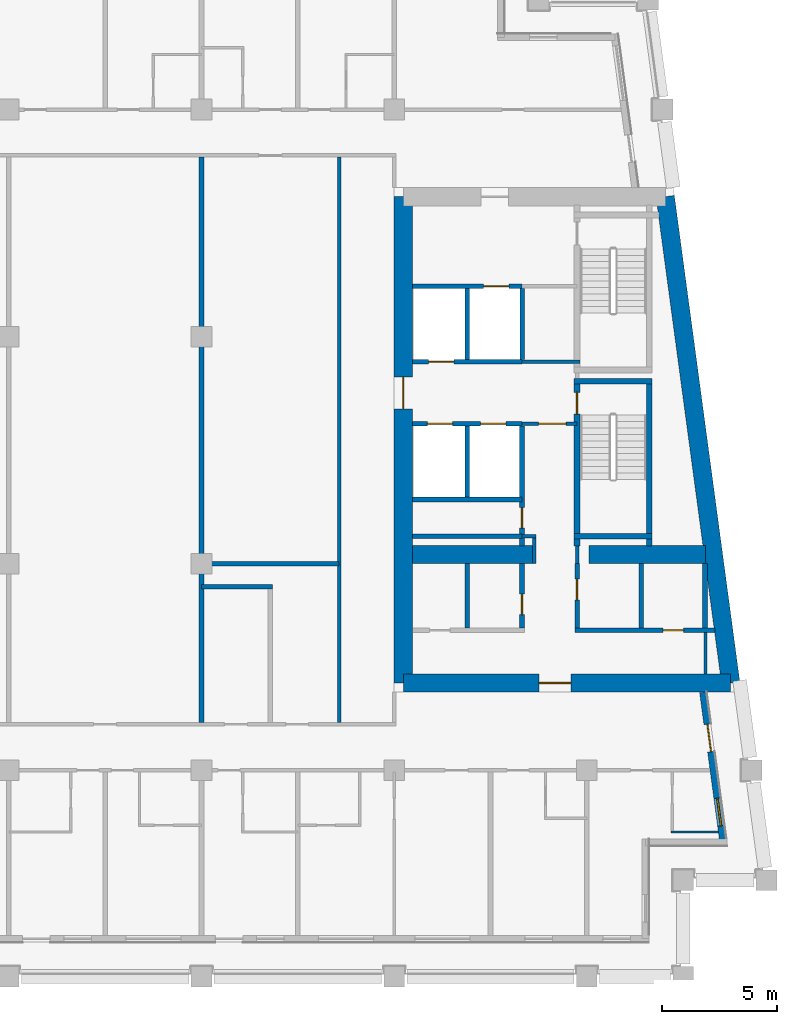
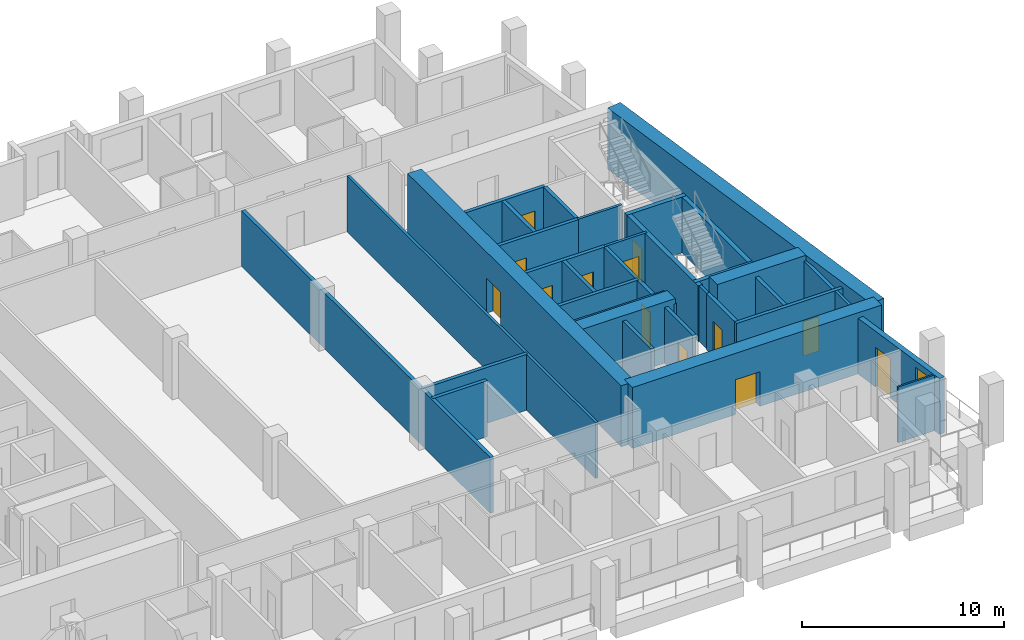
# One storey, part 5 of 13: 36 walls, 13 doors, 1 window, 14 openings.
"""IFC4 building model written with IfcOpenShell, lengths in metres."""

from ifc_helpers import new_model, si_unit, direction, frame, frame_2d, origin, place, context, subcontext, project, spatial, rectangle, extrude, material, layer, layer_set, type_object, element, fill, save


model = new_model("IFC4")

# Units and contexts
model_context = context("Model", 3, precision=1e-05, world=origin(), true_north=direction((0.0, 1.0)))
body_context = subcontext(model_context, "Body", "Model", "MODEL_VIEW")
ifc_project = project(units=[si_unit("LENGTHUNIT", "METRE"), si_unit("AREAUNIT", "SQUARE_METRE"), si_unit("VOLUMEUNIT", "CUBIC_METRE"), si_unit("PLANEANGLEUNIT", "RADIAN"), si_unit("MASSUNIT", "GRAM", prefix="KILO")], contexts=[model_context])

# Site, building, storey
site_placement = place(None, origin())
site = spatial("IfcSite", under=ifc_project, at=site_placement, CompositionType="ELEMENT")
building_placement = place(site_placement, origin())
building = spatial("IfcBuilding", under=site, at=building_placement, Name="Candeia Pilgrim Tower and Theatre", CompositionType="ELEMENT")
storey_placement = place(building_placement, frame((0.0, 0.0, 202.199951171875)))
storey = spatial("IfcBuildingStorey", under=building, at=storey_placement, Name="L48", CompositionType="ELEMENT", Elevation=202.199951171875)

# Wall
ifc_material_1 = material(Name="Concrete C50/60", Category="concrete")
ifc_layer_1 = layer(ifc_material_1, 0.800048828125)
ifc_layer_set_1 = layer_set([ifc_layer_1], Name="Core wall 800 C50/60")
wall_type_1 = type_object("IfcWallType", Name="Core wall 800 C50/60", PredefinedType="SHEAR", material=ifc_layer_set_1)
wall_1_placement = place(storey_placement, frame((137.819580078125, 132.0, 0.0), z_axis=(0.0, 0.0, 1.0), x_axis=(0.133408347329, -0.991061154956, 0.0)))
element("IfcWall", 1, at=wall_1_placement, inside=storey, type_object=wall_type_1, Name="Core wall E2", PredefinedType="SHEAR", context=body_context, shape_type="SweptSolid", body=[
    extrude(rectangle(XDim=21.39111328125, YDim=0.800048828125, at=frame_2d((10.695556640625, 0.0))), origin(), (0.0, 0.0, 1.0), 3.699951171875),
])

# Wall, opening, door
wall_2_placement = place(storey_placement, frame((140.67333984375, 110.800048828125, 0.0), z_axis=(0.0, 0.0, 1.0), x_axis=(-1.0, 0.0, 0.0)))
wall_2 = element("IfcWall", 2, at=wall_2_placement, inside=storey, type_object=wall_type_1, Name="Core wall E3", PredefinedType="SHEAR", context=body_context, shape_type="SweptSolid", body=[
    extrude(rectangle(XDim=14.2734375, YDim=0.800048828125, at=frame_2d((7.13671875, 0.0))), origin(), (0.0, 0.0, 1.0), 3.699951171875),
])
opening_1_placement = place(wall_2_placement, frame((6.96533203125, 0.0, 0.0)))
opening_1 = element("IfcOpeningElement", 3, at=opening_1_placement, cuts=wall_2, Name="Opening L48-D061", PredefinedType="OPENING", context=body_context, shape_type="SweptSolid", body=[
    extrude(rectangle(XDim=1.39990234375, YDim=2.10009765625, at=frame_2d((0.699951171875, 1.050048828125))), frame((0.0, 0.41015625, 0.0), z_axis=(0.0, -1.0, 0.0), x_axis=(1.0, 0.0, 0.0)), (0.0, 0.0, 1.0), 0.820068359375),
])
ifc_material_2 = material(Name="Steel fire door set", Category="steel")
door_type_1 = type_object("IfcDoorType", Name="D-1400-FD60", OperationType="NOTDEFINED", PredefinedType="DOOR", material=ifc_material_2)
door_1_placement = place(opening_1_placement, origin())
door_1 = element("IfcDoor", 4, at=door_1_placement, inside=storey, type_object=door_type_1, Name="Door L48-D061", OperationType="SINGLE_SWING_LEFT", OverallHeight=2.10009765625, OverallWidth=1.39990234375, PredefinedType="DOOR", context=body_context, shape_type="SweptSolid", body=[
    extrude(rectangle(XDim=1.39990234375, YDim=2.10009765625, at=frame_2d((0.699951171875, 1.050048828125))), frame((0.0, 0.02490234375, 0.0), z_axis=(0.0, -1.0, 0.0), x_axis=(1.0, 0.0, 0.0)), (0.0, 0.0, 1.0), 0.050048828125),
])
fill(opening_1, door_1)

wall_3_placement = place(storey_placement, frame((126.39990234375, 110.800048828125, 0.0), z_axis=(0.0, 0.0, 1.0), x_axis=(0.0, 1.0, 0.0)))
wall_3 = element("IfcWall", 5, at=wall_3_placement, inside=storey, type_object=wall_type_1, Name="Core wall E4", PredefinedType="SHEAR", context=body_context, shape_type="SweptSolid", body=[
    extrude(rectangle(XDim=21.199951171875, YDim=0.800048828125, at=frame_2d((10.60009765625, 0.0))), origin(), (0.0, 0.0, 1.0), 3.699951171875),
])
opening_2_placement = place(wall_3_placement, frame((11.949951171875, 0.0, 0.0)))
opening_2 = element("IfcOpeningElement", 6, at=opening_2_placement, cuts=wall_3, Name="Opening L48-D063", PredefinedType="OPENING", context=body_context, shape_type="SweptSolid", body=[
    extrude(rectangle(XDim=1.39990234375, YDim=2.10009765625, at=frame_2d((0.699951171875, 1.050048828125))), frame((0.0, 0.41015625, 0.0), z_axis=(0.0, -1.0, 0.0), x_axis=(1.0, 0.0, 0.0)), (0.0, 0.0, 1.0), 0.820068359375),
])
door_2_placement = place(opening_2_placement, origin())
door_2 = element("IfcDoor", 7, at=door_2_placement, inside=storey, type_object=door_type_1, Name="Door L48-D063", OperationType="SINGLE_SWING_LEFT", OverallHeight=2.10009765625, OverallWidth=1.39990234375, PredefinedType="DOOR", context=body_context, shape_type="SweptSolid", body=[
    extrude(rectangle(XDim=1.39990234375, YDim=2.10009765625, at=frame_2d((0.699951171875, 1.050048828125))), frame((0.0, 0.02490234375, 0.0), z_axis=(0.0, -1.0, 0.0), x_axis=(1.0, 0.0, 0.0)), (0.0, 0.0, 1.0), 0.050048828125),
])
fill(opening_2, door_2)

# Walls
wall_4_placement = place(storey_placement, frame((126.800048828125, 116.39990234375, 0.0), z_axis=(0.0, 0.0, 1.0), x_axis=(1.0, 0.0, 0.0)))
element("IfcWall", 8, at=wall_4_placement, inside=storey, type_object=wall_type_1, Name="Core wall E5", PredefinedType="SHEAR", context=body_context, shape_type="SweptSolid", body=[
    extrude(rectangle(XDim=5.300048828125, YDim=0.800048828125, at=frame_2d((2.64990234375, 0.0))), origin(), (0.0, 0.0, 1.0), 3.699951171875),
])
wall_5_placement = place(storey_placement, frame((134.5, 116.39990234375, 0.0), z_axis=(0.0, 0.0, 1.0), x_axis=(1.0, 0.0, 0.0)))
element("IfcWall", 9, at=wall_5_placement, inside=storey, type_object=wall_type_1, Name="Core wall E6", PredefinedType="SHEAR", context=body_context, shape_type="SweptSolid", body=[
    extrude(rectangle(XDim=5.076904296875, YDim=0.800048828125, at=frame_2d((2.53857421875, 0.0))), origin(), (0.0, 0.0, 1.0), 3.699951171875),
])

# Wall, openings, door, window
ifc_material_3 = material(Name="Ceramic block masonry", Category="masonry")
ifc_layer_2 = layer(ifc_material_3, 0.300048828125)
ifc_layer_set_2 = layer_set([ifc_layer_2], Name="EW1 glazing-line wall 300")
wall_type_2 = type_object("IfcWallType", Name="EW1 glazing-line wall 300", PredefinedType="SOLIDWALL", material=ifc_layer_set_2)
wall_6_placement = place(storey_placement, frame((140.34765625, 103.85009765625, 0.0), z_axis=(0.0, 0.0, 1.0), x_axis=(-0.133431549479, 0.991058031401, 0.0)))
wall_6 = element("IfcWall", 10, at=wall_6_placement, inside=storey, type_object=wall_type_2, Name="External wall L48-3.0", PredefinedType="SOLIDWALL", context=body_context, shape_type="SweptSolid", body=[
    extrude(rectangle(XDim=6.60888671875, YDim=0.300048828125, at=frame_2d((3.304443359375, 0.0))), origin(), (0.0, 0.0, 1.0), 3.380126953125),
])
opening_3_placement = place(wall_6_placement, frame((0.736572265625, 0.0, 0.89990234375)))
opening_3 = element("IfcOpeningElement", 11, at=opening_3_placement, cuts=wall_6, Name="Opening W-B", PredefinedType="OPENING", context=body_context, shape_type="SweptSolid", body=[
    extrude(rectangle(XDim=1.199951171875, YDim=2.10009765625, at=frame_2d((0.60009765625, 1.050048828125))), frame((0.0, 0.16015625, 0.0), z_axis=(0.0, -1.0, 0.0), x_axis=(1.0, 0.0, 0.0)), (0.0, 0.0, 1.0), 0.320068359375),
])
opening_4_placement = place(wall_6_placement, frame((3.990966796875, 0.0, 0.0)))
opening_4 = element("IfcOpeningElement", 12, at=opening_4_placement, cuts=wall_6, Name="Opening L48-ED453", PredefinedType="OPENING", context=body_context, shape_type="SweptSolid", body=[
    extrude(rectangle(XDim=1.199951171875, YDim=2.39990234375, at=frame_2d((0.60009765625, 1.199951171875))), frame((0.0, 0.16015625, 0.0), z_axis=(0.0, -1.0, 0.0), x_axis=(1.0, 0.0, 0.0)), (0.0, 0.0, 1.0), 0.320068359375),
])
ifc_material_4 = material(Name="Aluminium framed glazed door", Category="aluminium")
door_type_2 = type_object("IfcDoorType", Name="Loggia door 1200x2400", OperationType="DOUBLE_DOOR_SINGLE_SWING", PredefinedType="DOOR", material=ifc_material_4)
door_3_placement = place(opening_4_placement, origin())
door_3 = element("IfcDoor", 13, at=door_3_placement, inside=storey, type_object=door_type_2, Name="Loggia door L48-ED453", OperationType="DOUBLE_DOOR_SINGLE_SWING", OverallHeight=2.39990234375, OverallWidth=1.199951171875, PredefinedType="DOOR", context=body_context, shape_type="SweptSolid", body=[
    extrude(rectangle(XDim=1.199951171875, YDim=2.39990234375, at=frame_2d((0.60009765625, 1.199951171875))), frame((0.0, 0.02490234375, 0.0), z_axis=(0.0, -1.0, 0.0), x_axis=(1.0, 0.0, 0.0)), (0.0, 0.0, 1.0), 0.050048828125),
])
fill(opening_4, door_3)
ifc_material_5 = material(Name="Aluminium framed double glazing", Category="aluminium")
window_type = type_object("IfcWindowType", Name="W-B window 1200x2100", PartitioningType="SINGLE_PANEL", PredefinedType="WINDOW", material=ifc_material_5)
window_placement = place(opening_3_placement, origin())
window = element("IfcWindow", 14, at=window_placement, inside=storey, type_object=window_type, Name="Window W-B L48", OverallHeight=2.10009765625, OverallWidth=1.199951171875, PartitioningType="SINGLE_PANEL", PredefinedType="WINDOW", context=body_context, shape_type="SweptSolid", body=[
    extrude(rectangle(XDim=1.199951171875, YDim=2.10009765625, at=frame_2d((0.60009765625, 1.050048828125))), frame((0.0, 0.030029296875, 0.0), z_axis=(0.0, -1.0, 0.0), x_axis=(1.0, 0.0, 0.0)), (0.0, 0.0, 1.0), 0.06005859375),
])
fill(opening_3, window)

# Walls
ifc_material_6 = material(Name="Gypsum board partition on steel studs", Category="steel")
ifc_layer_3 = layer(ifc_material_6, 0.10009765625)
ifc_layer_set_3 = layer_set([ifc_layer_3], Name="PW-100 room partition")
wall_type_3 = type_object("IfcWallType", Name="PW-100 room partition", PredefinedType="PARTITIONING", material=ifc_layer_set_3)
wall_7_placement = place(storey_placement, frame((138.070068359375, 104.300048828125, 0.0), z_axis=(0.0, 0.0, 1.0), x_axis=(1.0, 0.0, 0.0)))
element("IfcWall", 15, at=wall_7_placement, inside=storey, type_object=wall_type_3, Name="Room partition L48-003", PredefinedType="PARTITIONING", context=body_context, shape_type="SweptSolid", body=[
    extrude(rectangle(XDim=2.07568359375, YDim=0.10009765625, at=frame_2d((1.037841796875, 0.0))), origin(), (0.0, 0.0, 1.0), 3.380126953125),
])
ifc_layer_4 = layer(ifc_material_6, 0.14990234375)
ifc_layer_set_4 = layer_set([ifc_layer_4], Name="PW-150 lobby wall")
wall_type_4 = type_object("IfcWallType", Name="PW-150 lobby wall", PredefinedType="PARTITIONING", material=ifc_layer_set_4)
wall_8_placement = place(storey_placement, frame((131.572998046875, 117.199951171875, 0.0), z_axis=(0.0, 0.0, 1.0), x_axis=(1.0, 0.0, 0.0)))
element("IfcWall", 16, at=wall_8_placement, inside=storey, type_object=wall_type_4, Name="Lobby wall L48-021", PredefinedType="PARTITIONING", context=body_context, shape_type="SweptSolid", body=[
    extrude(rectangle(XDim=0.60205078125, YDim=0.14990234375, at=frame_2d((0.301025390625, 0.0))), origin(), (0.0, 0.0, 1.0), 3.380126953125),
])

# Wall, opening, door
wall_9_placement = place(storey_placement, frame((131.572998046875, 122.10009765625, 0.0), z_axis=(0.0, 0.0, 1.0), x_axis=(1.0, 0.0, 0.0)))
wall_9 = element("IfcWall", 17, at=wall_9_placement, inside=storey, type_object=wall_type_4, Name="Lobby wall L48-029", PredefinedType="PARTITIONING", context=body_context, shape_type="SweptSolid", body=[
    extrude(rectangle(XDim=2.39990234375, YDim=0.14990234375, at=frame_2d((1.199951171875, 0.0))), origin(), (0.0, 0.0, 1.0), 3.380126953125),
])
opening_5_placement = place(wall_9_placement, frame((0.72509765625, 0.0, 0.0)))
opening_5 = element("IfcOpeningElement", 18, at=opening_5_placement, cuts=wall_9, Name="Opening L48-D009", PredefinedType="OPENING", context=body_context, shape_type="SweptSolid", body=[
    extrude(rectangle(XDim=1.199951171875, YDim=2.10009765625, at=frame_2d((0.60009765625, 1.050048828125))), frame((0.0, 0.0849609375, 0.0), z_axis=(0.0, -1.0, 0.0), x_axis=(1.0, 0.0, 0.0)), (0.0, 0.0, 1.0), 0.169921875),
])
door_type_3 = type_object("IfcDoorType", Name="D-1200-FD60", OperationType="NOTDEFINED", PredefinedType="DOOR", material=ifc_material_2)
door_4_placement = place(opening_5_placement, origin())
door_4 = element("IfcDoor", 19, at=door_4_placement, inside=storey, type_object=door_type_3, Name="Door L48-D009", OperationType="SINGLE_SWING_LEFT", OverallHeight=2.10009765625, OverallWidth=1.199951171875, PredefinedType="DOOR", context=body_context, shape_type="SweptSolid", body=[
    extrude(rectangle(XDim=1.199951171875, YDim=2.10009765625, at=frame_2d((0.60009765625, 1.050048828125))), frame((0.0, 0.02490234375, 0.0), z_axis=(0.0, -1.0, 0.0), x_axis=(1.0, 0.0, 0.0)), (0.0, 0.0, 1.0), 0.050048828125),
])
fill(opening_5, door_4)

# Walls
wall_10_placement = place(storey_placement, frame((131.58203125, 124.800048828125, 0.0), z_axis=(0.0, 0.0, 1.0), x_axis=(1.0, 0.0, 0.0)))
element("IfcWall", 20, at=wall_10_placement, inside=storey, type_object=wall_type_4, Name="Lobby wall L48-036", PredefinedType="PARTITIONING", context=body_context, shape_type="SweptSolid", body=[
    extrude(rectangle(XDim=2.515869140625, YDim=0.14990234375, at=frame_2d((1.2578125, 0.0))), origin(), (0.0, 0.0, 1.0), 3.380126953125),
])
wall_11_placement = place(storey_placement, frame((132.10009765625, 116.0, 0.0), z_axis=(0.0, 0.0, 1.0), x_axis=(0.0, 1.0, 0.0)))
element("IfcWall", 21, at=wall_11_placement, inside=storey, type_object=wall_type_4, Name="Lobby wall L48-113", PredefinedType="PARTITIONING", context=body_context, shape_type="SweptSolid", body=[
    extrude(rectangle(XDim=1.125, YDim=0.14990234375, at=frame_2d((0.5625, 0.0))), origin(), (0.0, 0.0, 1.0), 3.380126953125),
])
wall_12_placement = place(storey_placement, frame((133.972900390625, 116.0, 0.0), z_axis=(0.0, 0.0, 1.0), x_axis=(0.0, 1.0, 0.0)))
element("IfcWall", 22, at=wall_12_placement, inside=storey, type_object=wall_type_4, Name="Lobby wall L48-116", PredefinedType="PARTITIONING", context=body_context, shape_type="SweptSolid", body=[
    extrude(rectangle(XDim=0.77001953125, YDim=0.14990234375, at=frame_2d((0.385009765625, 0.0))), origin(), (0.0, 0.0, 1.0), 3.380126953125),
])
wall_13_placement = place(storey_placement, frame((139.572998046875, 111.199951171875, 0.0), z_axis=(0.0, 0.0, 1.0), x_axis=(0.0, 1.0, 0.0)))
element("IfcWall", 23, at=wall_13_placement, inside=storey, type_object=wall_type_4, Name="Lobby wall L48-126", PredefinedType="PARTITIONING", context=body_context, shape_type="SweptSolid", body=[
    extrude(rectangle(XDim=1.800048828125, YDim=0.14990234375, at=frame_2d((0.89990234375, 0.0))), origin(), (0.0, 0.0, 1.0), 3.380126953125),
])
ifc_layer_5 = layer(ifc_material_6, 0.14990234375)
ifc_layer_set_5 = layer_set([ifc_layer_5], Name="PW-150 unit wall")
wall_type_5 = type_object("IfcWallType", Name="PW-150 unit wall", PredefinedType="PARTITIONING", material=ifc_layer_set_5)
wall_14_placement = place(storey_placement, frame((123.60009765625, 109.074951171875, 0.0), z_axis=(0.0, 0.0, 1.0), x_axis=(0.0, 1.0, 0.0)))
element("IfcWall", 24, at=wall_14_placement, inside=storey, type_object=wall_type_5, Name="Unit wall L48-099", PredefinedType="PARTITIONING", context=body_context, shape_type="SweptSolid", body=[
    extrude(rectangle(XDim=24.650146484375, YDim=0.14990234375, at=frame_2d((12.3251953125, 0.0))), origin(), (0.0, 0.0, 1.0), 3.380126953125),
])
ifc_layer_6 = layer(ifc_material_6, 0.199951171875)
ifc_layer_set_6 = layer_set([ifc_layer_6], Name="PW-200 party wall")
wall_type_6 = type_object("IfcWallType", Name="PW-200 party wall", PredefinedType="PARTITIONING", material=ifc_layer_set_6)
wall_15_placement = place(storey_placement, frame((117.60009765625, 115.0, 0.0), z_axis=(0.0, 0.0, 1.0), x_axis=(1.0, 0.0, 0.0)))
element("IfcWall", 25, at=wall_15_placement, inside=storey, type_object=wall_type_6, Name="Party wall L48-016", PredefinedType="PARTITIONING", context=body_context, shape_type="SweptSolid", body=[
    extrude(rectangle(XDim=3.099853515625, YDim=0.199951171875, at=frame_2d((1.5498046875, 0.0))), origin(), (0.0, 0.0, 1.0), 3.380126953125),
])
wall_16_placement = place(storey_placement, frame((117.60009765625, 116.0, 0.0), z_axis=(0.0, 0.0, 1.0), x_axis=(1.0, 0.0, 0.0)))
element("IfcWall", 26, at=wall_16_placement, inside=storey, type_object=wall_type_6, Name="Party wall L48-017", PredefinedType="PARTITIONING", context=body_context, shape_type="SweptSolid", body=[
    extrude(rectangle(XDim=6.0, YDim=0.199951171875, at=frame_2d((3.0, 0.0))), origin(), (0.0, 0.0, 1.0), 3.380126953125),
])
wall_17_placement = place(storey_placement, frame((117.60009765625, 109.074951171875, 0.0), z_axis=(0.0, 0.0, 1.0), x_axis=(0.0, 1.0, 0.0)))
element("IfcWall", 27, at=wall_17_placement, inside=storey, type_object=wall_type_6, Name="Party wall L48-092", PredefinedType="PARTITIONING", context=body_context, shape_type="SweptSolid", body=[
    extrude(rectangle(XDim=24.650146484375, YDim=0.199951171875, at=frame_2d((12.3251953125, 0.0))), origin(), (0.0, 0.0, 1.0), 3.380126953125),
])

# Wall, opening, door
ifc_material_7 = material(Name="Concrete C40/50", Category="concrete")
ifc_layer_7 = layer(ifc_material_7, 0.199951171875)
ifc_layer_set_7 = layer_set([ifc_layer_7], Name="SW-200 shaft wall")
wall_type_7 = type_object("IfcWallType", Name="SW-200 shaft wall", PredefinedType="PARTITIONING", material=ifc_layer_set_7)
wall_18_placement = place(storey_placement, frame((133.873046875, 113.10009765625, 0.0), z_axis=(0.0, 0.0, 1.0), x_axis=(1.0, 0.0, 0.0)))
wall_18 = element("IfcWall", 28, at=wall_18_placement, inside=storey, type_object=wall_type_7, Name="Shaft wall L48-015", PredefinedType="PARTITIONING", context=body_context, shape_type="SweptSolid", body=[
    extrude(rectangle(XDim=6.116943359375, YDim=0.199951171875, at=frame_2d((3.05859375, 0.0))), origin(), (0.0, 0.0, 1.0), 3.380126953125),
])
opening_6_placement = place(wall_18_placement, frame((3.85009765625, 0.0, 0.0)))
opening_6 = element("IfcOpeningElement", 29, at=opening_6_placement, cuts=wall_18, Name="Opening L48-D013", PredefinedType="OPENING", context=body_context, shape_type="SweptSolid", body=[
    extrude(rectangle(XDim=0.89990234375, YDim=2.10009765625, at=frame_2d((0.449951171875, 1.050048828125))), frame((0.0, 0.10986328125, 0.0), z_axis=(0.0, -1.0, 0.0), x_axis=(1.0, 0.0, 0.0)), (0.0, 0.0, 1.0), 0.219970703125),
])
door_type_4 = type_object("IfcDoorType", Name="D-900-FD60", OperationType="NOTDEFINED", PredefinedType="DOOR", material=ifc_material_2)
door_5_placement = place(opening_6_placement, origin())
door_5 = element("IfcDoor", 30, at=door_5_placement, inside=storey, type_object=door_type_4, Name="Door L48-D013", OperationType="SINGLE_SWING_LEFT", OverallHeight=2.10009765625, OverallWidth=0.89990234375, PredefinedType="DOOR", context=body_context, shape_type="SweptSolid", body=[
    extrude(rectangle(XDim=0.89990234375, YDim=2.10009765625, at=frame_2d((0.449951171875, 1.050048828125))), frame((0.0, 0.02490234375, 0.0), z_axis=(0.0, -1.0, 0.0), x_axis=(1.0, 0.0, 0.0)), (0.0, 0.0, 1.0), 0.050048828125),
])
fill(opening_6, door_5)

# Walls
for number, where, z_axis, x_axis, name in (
    (31, (126.800048828125, 117.199951171875, 0.0), (0.0, 0.0, 1.0), (1.0, 0.0, 0.0), "Shaft wall L48-019"),
    (32, (126.800048828125, 118.800048828125, 0.0), (0.0, 0.0, 1.0), (1.0, 0.0, 0.0), "Shaft wall L48-025"),
):
    element("IfcWall", number, at=place(storey_placement, frame(where, z_axis=z_axis, x_axis=x_axis)), inside=storey, type_object=wall_type_7, Name=name, PredefinedType="PARTITIONING", context=body_context, shape_type="SweptSolid", body=[
        extrude(rectangle(XDim=4.77294921875, YDim=0.199951171875, at=frame_2d((2.386474609375, 0.0))), origin(), (0.0, 0.0, 1.0), 3.380126953125),
    ])

# Wall, openings, doors
wall_19_placement = place(storey_placement, frame((126.800048828125, 122.10009765625, 0.0), z_axis=(0.0, 0.0, 1.0), x_axis=(1.0, 0.0, 0.0)))
wall_19 = element("IfcWall", 33, at=wall_19_placement, inside=storey, type_object=wall_type_7, Name="Shaft wall L48-027", PredefinedType="PARTITIONING", context=body_context, shape_type="SweptSolid", body=[
    extrude(rectangle(XDim=4.77294921875, YDim=0.199951171875, at=frame_2d((2.386474609375, 0.0))), origin(), (0.0, 0.0, 1.0), 3.380126953125),
])
opening_7_placement = place(wall_19_placement, frame((2.970947265625, 0.0, 0.0)))
opening_7 = element("IfcOpeningElement", 34, at=opening_7_placement, cuts=wall_19, Name="Opening L48-LD05", PredefinedType="OPENING", context=body_context, shape_type="SweptSolid", body=[
    extrude(rectangle(XDim=1.10009765625, YDim=2.10009765625, at=frame_2d((0.550048828125, 1.050048828125))), frame((0.0, 0.10986328125, 0.0), z_axis=(0.0, -1.0, 0.0), x_axis=(1.0, 0.0, 0.0)), (0.0, 0.0, 1.0), 0.219970703125),
])
opening_8_placement = place(wall_19_placement, frame((0.64306640625, 0.0, 0.0)))
opening_8 = element("IfcOpeningElement", 35, at=opening_8_placement, cuts=wall_19, Name="Opening L48-LD06", PredefinedType="OPENING", context=body_context, shape_type="SweptSolid", body=[
    extrude(rectangle(XDim=1.10009765625, YDim=2.10009765625, at=frame_2d((0.550048828125, 1.050048828125))), frame((0.0, 0.10986328125, 0.0), z_axis=(0.0, -1.0, 0.0), x_axis=(1.0, 0.0, 0.0)), (0.0, 0.0, 1.0), 0.219970703125),
])
ifc_material_8 = material(Name="Glazed aluminium landing door", Category="aluminium")
door_type_5 = type_object("IfcDoorType", Name="LD-1100-EI120", OperationType="SLIDING_TO_LEFT", PredefinedType="DOOR", material=ifc_material_8)
door_6_placement = place(opening_7_placement, origin())
door_6 = element("IfcDoor", 36, at=door_6_placement, inside=storey, type_object=door_type_5, Name="Landing door 05 L48", OperationType="SLIDING_TO_LEFT", OverallHeight=2.10009765625, OverallWidth=1.10009765625, PredefinedType="DOOR", context=body_context, shape_type="SweptSolid", body=[
    extrude(rectangle(XDim=1.10009765625, YDim=2.10009765625, at=frame_2d((0.550048828125, 1.050048828125))), frame((0.0, 0.02490234375, 0.0), z_axis=(0.0, -1.0, 0.0), x_axis=(1.0, 0.0, 0.0)), (0.0, 0.0, 1.0), 0.050048828125),
])
fill(opening_7, door_6)
door_7_placement = place(opening_8_placement, origin())
door_7 = element("IfcDoor", 37, at=door_7_placement, inside=storey, type_object=door_type_5, Name="Landing door 06 L48", OperationType="SLIDING_TO_LEFT", OverallHeight=2.10009765625, OverallWidth=1.10009765625, PredefinedType="DOOR", context=body_context, shape_type="SweptSolid", body=[
    extrude(rectangle(XDim=1.10009765625, YDim=2.10009765625, at=frame_2d((0.550048828125, 1.050048828125))), frame((0.0, 0.02490234375, 0.0), z_axis=(0.0, -1.0, 0.0), x_axis=(1.0, 0.0, 0.0)), (0.0, 0.0, 1.0), 0.050048828125),
])
fill(opening_8, door_7)

# Wall, opening, door
wall_20_placement = place(storey_placement, frame((126.800048828125, 124.800048828125, 0.0), z_axis=(0.0, 0.0, 1.0), x_axis=(1.0, 0.0, 0.0)))
wall_20 = element("IfcWall", 38, at=wall_20_placement, inside=storey, type_object=wall_type_7, Name="Shaft wall L48-035", PredefinedType="PARTITIONING", context=body_context, shape_type="SweptSolid", body=[
    extrude(rectangle(XDim=4.781982421875, YDim=0.199951171875, at=frame_2d((2.39111328125, 0.0))), origin(), (0.0, 0.0, 1.0), 3.380126953125),
])
opening_9_placement = place(wall_20_placement, frame((0.705078125, 0.0, 0.0)))
opening_9 = element("IfcOpeningElement", 39, at=opening_9_placement, cuts=wall_20, Name="Opening L48-LD08", PredefinedType="OPENING", context=body_context, shape_type="SweptSolid", body=[
    extrude(rectangle(XDim=1.10009765625, YDim=2.10009765625, at=frame_2d((0.550048828125, 1.050048828125))), frame((0.0, 0.10986328125, 0.0), z_axis=(0.0, -1.0, 0.0), x_axis=(1.0, 0.0, 0.0)), (0.0, 0.0, 1.0), 0.219970703125),
])
door_8_placement = place(opening_9_placement, origin())
door_8 = element("IfcDoor", 40, at=door_8_placement, inside=storey, type_object=door_type_5, Name="Landing door 08 L48", OperationType="SLIDING_TO_LEFT", OverallHeight=2.10009765625, OverallWidth=1.10009765625, PredefinedType="DOOR", context=body_context, shape_type="SweptSolid", body=[
    extrude(rectangle(XDim=1.10009765625, YDim=2.10009765625, at=frame_2d((0.550048828125, 1.050048828125))), frame((0.0, 0.02490234375, 0.0), z_axis=(0.0, -1.0, 0.0), x_axis=(1.0, 0.0, 0.0)), (0.0, 0.0, 1.0), 0.050048828125),
])
fill(opening_9, door_8)

wall_21_placement = place(storey_placement, frame((126.800048828125, 128.10009765625, 0.0), z_axis=(0.0, 0.0, 1.0), x_axis=(1.0, 0.0, 0.0)))
wall_21 = element("IfcWall", 41, at=wall_21_placement, inside=storey, type_object=wall_type_7, Name="Shaft wall L48-038", PredefinedType="PARTITIONING", context=body_context, shape_type="SweptSolid", body=[
    extrude(rectangle(XDim=4.781982421875, YDim=0.199951171875, at=frame_2d((2.39111328125, 0.0))), origin(), (0.0, 0.0, 1.0), 3.380126953125),
])
opening_10_placement = place(wall_21_placement, frame((3.095947265625, 0.0, 0.0)))
opening_10 = element("IfcOpeningElement", 42, at=opening_10_placement, cuts=wall_21, Name="Opening L48-LD07", PredefinedType="OPENING", context=body_context, shape_type="SweptSolid", body=[
    extrude(rectangle(XDim=1.10009765625, YDim=2.10009765625, at=frame_2d((0.550048828125, 1.050048828125))), frame((0.0, 0.10986328125, 0.0), z_axis=(0.0, -1.0, 0.0), x_axis=(1.0, 0.0, 0.0)), (0.0, 0.0, 1.0), 0.219970703125),
])
door_9_placement = place(opening_10_placement, origin())
door_9 = element("IfcDoor", 43, at=door_9_placement, inside=storey, type_object=door_type_5, Name="Landing door 07 L48", OperationType="SLIDING_TO_LEFT", OverallHeight=2.10009765625, OverallWidth=1.10009765625, PredefinedType="DOOR", context=body_context, shape_type="SweptSolid", body=[
    extrude(rectangle(XDim=1.10009765625, YDim=2.10009765625, at=frame_2d((0.550048828125, 1.050048828125))), frame((0.0, 0.02490234375, 0.0), z_axis=(0.0, -1.0, 0.0), x_axis=(1.0, 0.0, 0.0)), (0.0, 0.0, 1.0), 0.050048828125),
])
fill(opening_10, door_9)

# Walls
wall_22_placement = place(storey_placement, frame((129.1865234375, 113.199951171875, 0.0), z_axis=(0.0, 0.0, 1.0), x_axis=(0.0, 1.0, 0.0)))
element("IfcWall", 44, at=wall_22_placement, inside=storey, type_object=wall_type_7, Name="Shaft wall L48-106", PredefinedType="PARTITIONING", context=body_context, shape_type="SweptSolid", body=[
    extrude(rectangle(XDim=2.800048828125, YDim=0.199951171875, at=frame_2d((1.39990234375, 0.0))), origin(), (0.0, 0.0, 1.0), 3.380126953125),
])
for number, where, z_axis, x_axis, name in (
    (45, (129.1865234375, 118.89990234375, 0.0), (0.0, 0.0, 1.0), (0.0, 1.0, 0.0), "Shaft wall L48-107"),
    (46, (129.19091796875, 124.89990234375, 0.0), (0.0, 0.0, 1.0), (0.0, 1.0, 0.0), "Shaft wall L48-108"),
):
    element("IfcWall", number, at=place(storey_placement, frame(where, z_axis=z_axis, x_axis=x_axis)), inside=storey, type_object=wall_type_7, Name=name, PredefinedType="PARTITIONING", context=body_context, shape_type="SweptSolid", body=[
        extrude(rectangle(XDim=3.10009765625, YDim=0.199951171875, at=frame_2d((1.550048828125, 0.0))), origin(), (0.0, 0.0, 1.0), 3.380126953125),
    ])

# Wall, opening, door
wall_23_placement = place(storey_placement, frame((131.572998046875, 113.199951171875, 0.0), z_axis=(0.0, 0.0, 1.0), x_axis=(0.0, 1.0, 0.0)))
wall_23 = element("IfcWall", 47, at=wall_23_placement, inside=storey, type_object=wall_type_7, Name="Shaft wall L48-110", PredefinedType="PARTITIONING", context=body_context, shape_type="SweptSolid", body=[
    extrude(rectangle(XDim=2.800048828125, YDim=0.199951171875, at=frame_2d((1.39990234375, 0.0))), origin(), (0.0, 0.0, 1.0), 3.380126953125),
])
opening_11_placement = place(wall_23_placement, frame((0.574951171875, 0.0, 0.0)))
opening_11 = element("IfcOpeningElement", 48, at=opening_11_placement, cuts=wall_23, Name="Opening L48-D015", PredefinedType="OPENING", context=body_context, shape_type="SweptSolid", body=[
    extrude(rectangle(XDim=0.89990234375, YDim=2.10009765625, at=frame_2d((0.449951171875, 1.050048828125))), frame((0.0, 0.10986328125, 0.0), z_axis=(0.0, -1.0, 0.0), x_axis=(1.0, 0.0, 0.0)), (0.0, 0.0, 1.0), 0.219970703125),
])
door_10_placement = place(opening_11_placement, origin())
door_10 = element("IfcDoor", 49, at=door_10_placement, inside=storey, type_object=door_type_4, Name="Door L48-D015", OperationType="SINGLE_SWING_LEFT", OverallHeight=2.10009765625, OverallWidth=0.89990234375, PredefinedType="DOOR", context=body_context, shape_type="SweptSolid", body=[
    extrude(rectangle(XDim=0.89990234375, YDim=2.10009765625, at=frame_2d((0.449951171875, 1.050048828125))), frame((0.0, 0.02490234375, 0.0), z_axis=(0.0, -1.0, 0.0), x_axis=(1.0, 0.0, 0.0)), (0.0, 0.0, 1.0), 0.050048828125),
])
fill(opening_11, door_10)

wall_24_placement = place(storey_placement, frame((131.572998046875, 116.77001953125, 0.0), z_axis=(0.0, 0.0, 1.0), x_axis=(0.0, 1.0, 0.0)))
wall_24 = element("IfcWall", 50, at=wall_24_placement, inside=storey, type_object=wall_type_7, Name="Shaft wall L48-111", PredefinedType="PARTITIONING", context=body_context, shape_type="SweptSolid", body=[
    extrude(rectangle(XDim=5.22998046875, YDim=0.199951171875, at=frame_2d((2.614990234375, 0.0))), origin(), (0.0, 0.0, 1.0), 3.380126953125),
])
opening_12_placement = place(wall_24_placement, frame((0.780029296875, 0.0, 0.0)))
opening_12 = element("IfcOpeningElement", 51, at=opening_12_placement, cuts=wall_24, Name="Opening L48-D012", PredefinedType="OPENING", context=body_context, shape_type="SweptSolid", body=[
    extrude(rectangle(XDim=0.89990234375, YDim=2.10009765625, at=frame_2d((0.449951171875, 1.050048828125))), frame((0.0, 0.10986328125, 0.0), z_axis=(0.0, -1.0, 0.0), x_axis=(1.0, 0.0, 0.0)), (0.0, 0.0, 1.0), 0.219970703125),
])
door_11_placement = place(opening_12_placement, origin())
door_11 = element("IfcDoor", 52, at=door_11_placement, inside=storey, type_object=door_type_4, Name="Door L48-D012", OperationType="SINGLE_SWING_RIGHT", OverallHeight=2.10009765625, OverallWidth=0.89990234375, PredefinedType="DOOR", context=body_context, shape_type="SweptSolid", body=[
    extrude(rectangle(XDim=0.89990234375, YDim=2.10009765625, at=frame_2d((0.449951171875, 1.050048828125))), frame((0.0, 0.02490234375, 0.0), z_axis=(0.0, -1.0, 0.0), x_axis=(1.0, 0.0, 0.0)), (0.0, 0.0, 1.0), 0.050048828125),
])
fill(opening_12, door_11)

# Wall
wall_25_placement = place(storey_placement, frame((131.58203125, 124.89990234375, 0.0), z_axis=(0.0, 0.0, 1.0), x_axis=(0.0, 1.0, 0.0)))
element("IfcWall", 53, at=wall_25_placement, inside=storey, type_object=wall_type_7, Name="Shaft wall L48-112", PredefinedType="PARTITIONING", context=body_context, shape_type="SweptSolid", body=[
    extrude(rectangle(XDim=3.10009765625, YDim=0.199951171875, at=frame_2d((1.550048828125, 0.0))), origin(), (0.0, 0.0, 1.0), 3.380126953125),
])

# Wall, opening, door
wall_26_placement = place(storey_placement, frame((133.972900390625, 113.199951171875, 0.0), z_axis=(0.0, 0.0, 1.0), x_axis=(0.0, 1.0, 0.0)))
wall_26 = element("IfcWall", 54, at=wall_26_placement, inside=storey, type_object=wall_type_7, Name="Shaft wall L48-115", PredefinedType="PARTITIONING", context=body_context, shape_type="SweptSolid", body=[
    extrude(rectangle(XDim=2.800048828125, YDim=0.199951171875, at=frame_2d((1.39990234375, 0.0))), origin(), (0.0, 0.0, 1.0), 3.380126953125),
])
opening_13_placement = place(wall_26_placement, frame((1.22509765625, 0.0, 0.0)))
opening_13 = element("IfcOpeningElement", 55, at=opening_13_placement, cuts=wall_26, Name="Opening L48-D014", PredefinedType="OPENING", context=body_context, shape_type="SweptSolid", body=[
    extrude(rectangle(XDim=0.89990234375, YDim=2.10009765625, at=frame_2d((0.449951171875, 1.050048828125))), frame((0.0, 0.10986328125, 0.0), z_axis=(0.0, -1.0, 0.0), x_axis=(1.0, 0.0, 0.0)), (0.0, 0.0, 1.0), 0.219970703125),
])
door_12_placement = place(opening_13_placement, origin())
door_12 = element("IfcDoor", 56, at=door_12_placement, inside=storey, type_object=door_type_4, Name="Door L48-D014", OperationType="SINGLE_SWING_RIGHT", OverallHeight=2.10009765625, OverallWidth=0.89990234375, PredefinedType="DOOR", context=body_context, shape_type="SweptSolid", body=[
    extrude(rectangle(XDim=0.89990234375, YDim=2.10009765625, at=frame_2d((0.449951171875, 1.050048828125))), frame((0.0, 0.02490234375, 0.0), z_axis=(0.0, -1.0, 0.0), x_axis=(1.0, 0.0, 0.0)), (0.0, 0.0, 1.0), 0.050048828125),
])
fill(opening_13, door_12)

# Walls
for number, where, z_axis, x_axis, name in (
    (57, (136.77294921875, 113.199951171875, 0.0), (0.0, 0.0, 1.0), (0.0, 1.0, 0.0), "Shaft wall L48-121"),
    (58, (139.550537109375, 113.199951171875, 0.0), (0.0, 0.0, 1.0), (0.0, 1.0, 0.0), "Shaft wall L48-125"),
):
    element("IfcWall", number, at=place(storey_placement, frame(where, z_axis=z_axis, x_axis=x_axis)), inside=storey, type_object=wall_type_7, Name=name, PredefinedType="PARTITIONING", context=body_context, shape_type="SweptSolid", body=[
        extrude(rectangle(XDim=2.800048828125, YDim=0.199951171875, at=frame_2d((1.39990234375, 0.0))), origin(), (0.0, 0.0, 1.0), 3.380126953125),
    ])
ifc_layer_8 = layer(ifc_material_7, 0.25)
ifc_layer_set_8 = layer_set([ifc_layer_8], Name="SW-250 stair wall")
wall_type_8 = type_object("IfcWallType", Name="SW-250 stair wall", PredefinedType="PARTITIONING", material=ifc_layer_set_8)
for number, where, z_axis, x_axis, name in (
    (59, (133.847900390625, 117.199951171875, 0.0), (0.0, 0.0, 1.0), (1.0, 0.0, 0.0), "Stair wall L48-023"),
    (60, (133.847900390625, 123.949951171875, 0.0), (0.0, 0.0, 1.0), (1.0, 0.0, 0.0), "Stair wall L48-031"),
):
    element("IfcWall", number, at=place(storey_placement, frame(where, z_axis=z_axis, x_axis=x_axis)), inside=storey, type_object=wall_type_8, Name=name, PredefinedType="PARTITIONING", context=body_context, shape_type="SweptSolid", body=[
        extrude(rectangle(XDim=3.400146484375, YDim=0.25, at=frame_2d((1.7001953125, 0.0))), origin(), (0.0, 0.0, 1.0), 3.380126953125),
    ])

# Wall, opening, door
wall_27_placement = place(storey_placement, frame((133.972900390625, 116.77001953125, 0.0), z_axis=(0.0, 0.0, 1.0), x_axis=(0.0, 1.0, 0.0)))
wall_27 = element("IfcWall", 61, at=wall_27_placement, inside=storey, type_object=wall_type_8, Name="Stair wall L48-118", PredefinedType="PARTITIONING", context=body_context, shape_type="SweptSolid", body=[
    extrude(rectangle(XDim=7.054931640625, YDim=0.25, at=frame_2d((3.52734375, 0.0))), origin(), (0.0, 0.0, 1.0), 3.380126953125),
])
opening_14_placement = place(wall_27_placement, frame((5.7548828125, 0.0, 0.0)))
opening_14 = element("IfcOpeningElement", 62, at=opening_14_placement, cuts=wall_27, Name="Opening L48-D010", PredefinedType="OPENING", context=body_context, shape_type="SweptSolid", body=[
    extrude(rectangle(XDim=0.949951171875, YDim=2.10009765625, at=frame_2d((0.47509765625, 1.050048828125))), frame((0.0, 0.135009765625, 0.0), z_axis=(0.0, -1.0, 0.0), x_axis=(1.0, 0.0, 0.0)), (0.0, 0.0, 1.0), 0.27001953125),
])
door_type_6 = type_object("IfcDoorType", Name="D-950-FD60", OperationType="NOTDEFINED", PredefinedType="DOOR", material=ifc_material_2)
door_13_placement = place(opening_14_placement, origin())
door_13 = element("IfcDoor", 63, at=door_13_placement, inside=storey, type_object=door_type_6, Name="Door L48-D010", OperationType="SINGLE_SWING_RIGHT", OverallHeight=2.10009765625, OverallWidth=0.949951171875, PredefinedType="DOOR", context=body_context, shape_type="SweptSolid", body=[
    extrude(rectangle(XDim=0.949951171875, YDim=2.10009765625, at=frame_2d((0.47509765625, 1.050048828125))), frame((0.0, 0.02490234375, 0.0), z_axis=(0.0, -1.0, 0.0), x_axis=(1.0, 0.0, 0.0)), (0.0, 0.0, 1.0), 0.050048828125),
])
fill(opening_14, door_13)

# Wall
wall_28_placement = place(storey_placement, frame((137.123046875, 116.77001953125, 0.0), z_axis=(0.0, 0.0, 1.0), x_axis=(0.0, 1.0, 0.0)))
element("IfcWall", 64, at=wall_28_placement, inside=storey, type_object=wall_type_8, Name="Stair wall L48-122", PredefinedType="PARTITIONING", context=body_context, shape_type="SweptSolid", body=[
    extrude(rectangle(XDim=7.054931640625, YDim=0.25, at=frame_2d((3.52734375, 0.0))), origin(), (0.0, 0.0, 1.0), 3.380126953125),
])

save(model, "model.ifc")
